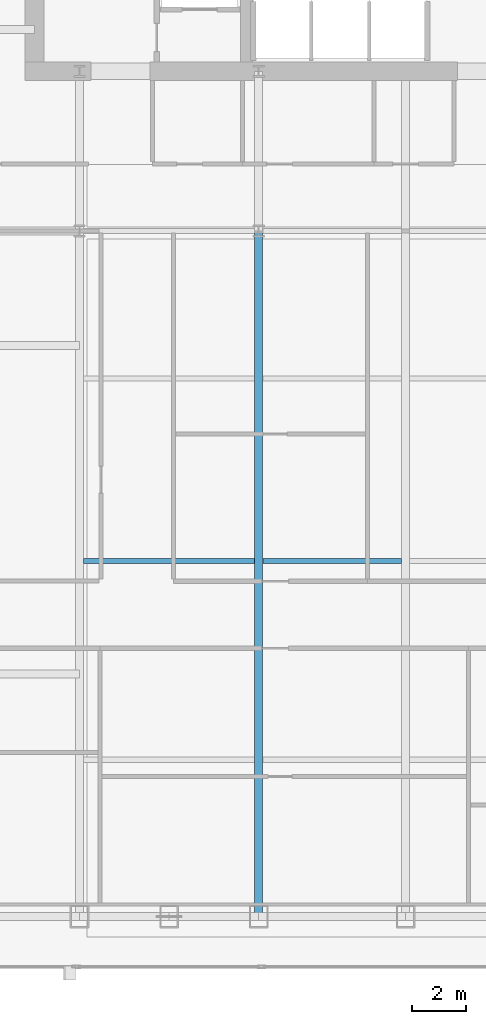
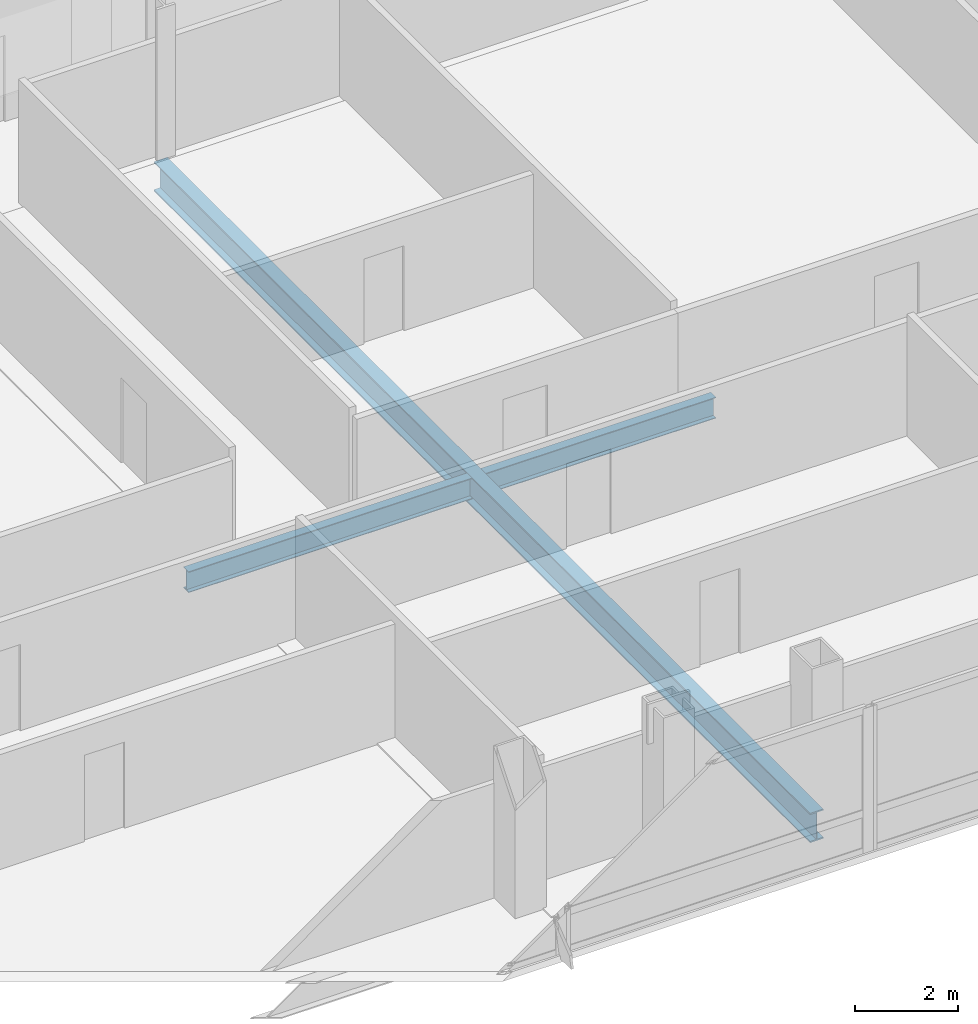
# One storey, part 9 of 29: 3 beams.
"""IFC4 building model written with IfcOpenShell, lengths in metres."""

from ifc_helpers import new_model, si_unit, direction, frame, origin, origin_2d, place, context, subcontext, project, spatial, i_section, extrude, material, material_profile, profile_set, type_object, element, save


model = new_model("IFC4")

# Units and contexts
model_context = context("Model", 3, precision=1e-05, world=origin(), true_north=direction((0.0, 1.0)))
body_context = subcontext(model_context, "Body", "Model", "MODEL_VIEW")
ifc_project = project(units=[si_unit("LENGTHUNIT", "METRE"), si_unit("AREAUNIT", "SQUARE_METRE"), si_unit("VOLUMEUNIT", "CUBIC_METRE"), si_unit("PLANEANGLEUNIT", "RADIAN"), si_unit("MASSUNIT", "GRAM", prefix="KILO")], contexts=[model_context])

# Site, building, storey
site_placement = place(None, origin())
site = spatial("IfcSite", under=ifc_project, at=site_placement, CompositionType="ELEMENT")
building_placement = place(site_placement, origin())
building = spatial("IfcBuilding", under=site, at=building_placement, Name="Khoronbel Lancet Exchange", CompositionType="ELEMENT")
storey_placement = place(building_placement, frame((0.0, 0.0, 154.199951171875)))
storey = spatial("IfcBuildingStorey", under=building, at=storey_placement, Name="L38", CompositionType="ELEMENT", Elevation=154.199951171875)

# Beams
ifc_material = material(Name="Steel S355", Category="steel")
ifc_material_profile_1 = material_profile(ifc_material, i_section(OverallWidth=0.300048828125, OverallDepth=0.699951171875, WebThickness=0.01708984375, FlangeThickness=0.031982421875, at=origin_2d()), Name="HEB 700")
ifc_profile_set_1 = profile_set([ifc_material_profile_1], Name="Steel S355")
beam_type_1 = type_object("IfcBeamType", Name="BM-BG3", PredefinedType="BEAM", material=ifc_profile_set_1)
beam_1_placement = place(storey_placement, frame((24.89990234375, 10.14990234375, -0.510009765625), z_axis=(0.0, 1.0, 0.0), x_axis=(-1.0, 0.0, 0.0)))
element("IfcBeam", 1, at=beam_1_placement, inside=storey, type_object=beam_type_1, Name="Level L38 south primary girder GS2", PredefinedType="BEAM", context=body_context, shape_type="SweptSolid", body=[
    extrude(i_section(OverallWidth=0.300048828125, OverallDepth=0.699951171875, WebThickness=0.01708984375, FlangeThickness=0.031982421875, at=origin_2d()), origin(), (0.0, 0.0, 1.0), 25.550048828125),
])
ifc_material_profile_2 = material_profile(ifc_material, i_section(OverallWidth=0.199951171875, OverallDepth=0.5, WebThickness=0.01025390625, FlangeThickness=0.01611328125, at=origin_2d()), Name="IPE 500")
ifc_profile_set_2 = profile_set([ifc_material_profile_2], Name="Steel S355")
beam_type_2 = type_object("IfcBeamType", Name="BM-BJ3", PredefinedType="JOIST", material=ifc_profile_set_2)
beam_2_placement = place(storey_placement, frame((18.375, 23.39990234375, -0.409912109375), z_axis=(1.0, 0.0, 0.0), x_axis=(0.0, 1.0, 0.0)))
element("IfcBeam", 2, at=beam_2_placement, inside=storey, type_object=beam_type_2, Name="Level L38 secondary composite joist J06", PredefinedType="JOIST", context=body_context, shape_type="SweptSolid", body=[
    extrude(i_section(OverallWidth=0.199951171875, OverallDepth=0.5, WebThickness=0.01025390625, FlangeThickness=0.01611328125, at=origin_2d()), origin(), (0.0, 0.0, 1.0), 6.375),
])
beam_3_placement = place(storey_placement, frame((25.050048828125, 23.39990234375, -0.409912109375), z_axis=(1.0, 0.0, 0.0), x_axis=(0.0, 1.0, 0.0)))
element("IfcBeam", 3, at=beam_3_placement, inside=storey, type_object=beam_type_2, Name="Level L38 secondary composite joist J07", PredefinedType="JOIST", context=body_context, shape_type="SweptSolid", body=[
    extrude(i_section(OverallWidth=0.199951171875, OverallDepth=0.5, WebThickness=0.01025390625, FlangeThickness=0.01611328125, at=origin_2d()), origin(), (0.0, 0.0, 1.0), 5.175048828125),
])

save(model, "model.ifc")
